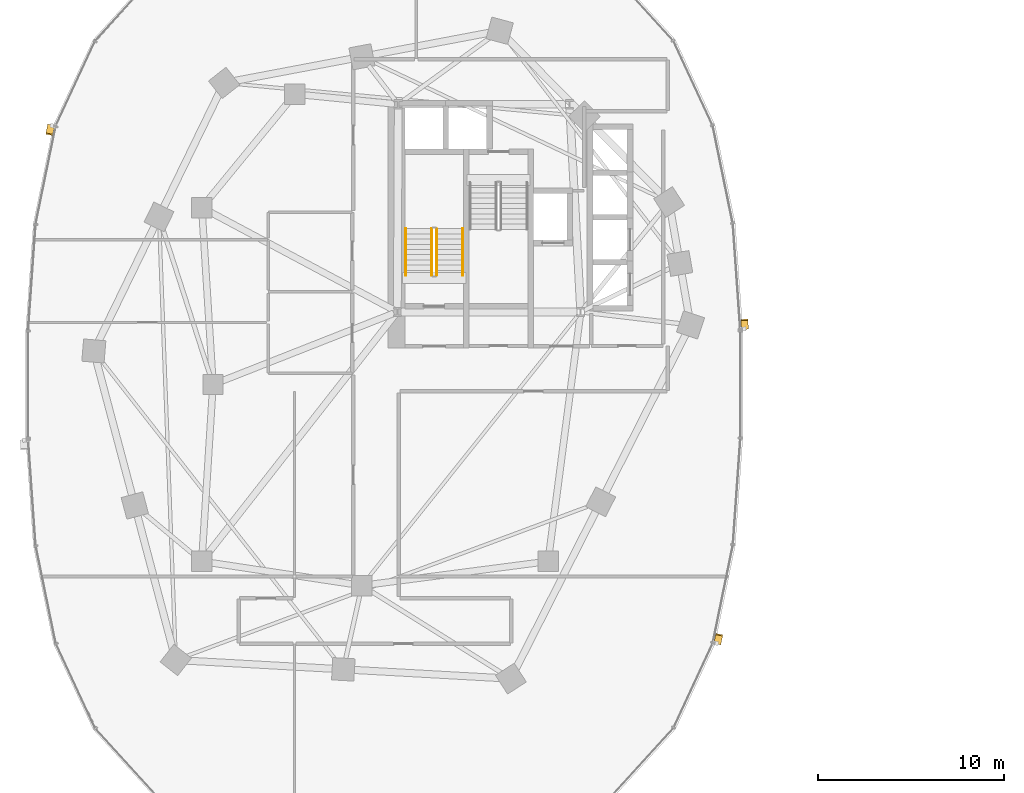
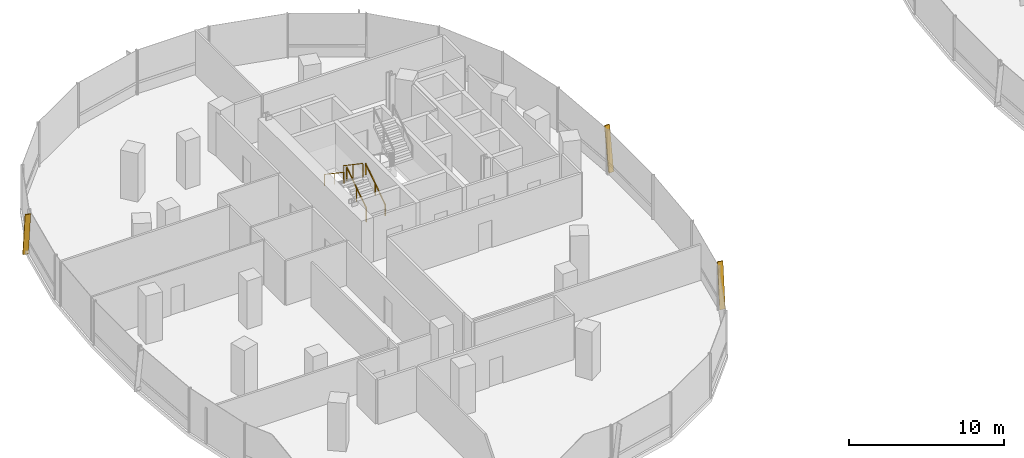
# One storey, part 18 of 21: 4 railings, 3 shading devices.
"""IFC4 building model written with IfcOpenShell, lengths in metres."""

from ifc_helpers import new_model, si_unit, direction, frame, origin, origin_2d, place, context, subcontext, project, spatial, rectangle, extrude, material, material_profile, profile_set, type_object, element, save


model = new_model("IFC4")

# Units and contexts
model_context = context("Model", 3, precision=1e-05, world=origin(), true_north=direction((0.0, 1.0)))
body_context = subcontext(model_context, "Body", "Model", "MODEL_VIEW")
ifc_project = project(units=[si_unit("LENGTHUNIT", "METRE"), si_unit("AREAUNIT", "SQUARE_METRE"), si_unit("VOLUMEUNIT", "CUBIC_METRE"), si_unit("PLANEANGLEUNIT", "RADIAN"), si_unit("MASSUNIT", "GRAM", prefix="KILO"), si_unit("THERMODYNAMICTEMPERATUREUNIT", "KELVIN"), si_unit("POWERUNIT", "WATT")], contexts=[model_context])

# Site, building, storey
site_placement = place(None, origin())
site = spatial("IfcSite", under=ifc_project, at=site_placement, CompositionType="ELEMENT")
building_placement = place(site_placement, origin())
building = spatial("IfcBuilding", under=site, at=building_placement, Name="Cundina Bronze Exchange", CompositionType="ELEMENT")
storey_placement = place(building_placement, frame((0.0, 0.0, 54.39990234375)))
storey = spatial("IfcBuildingStorey", under=building, at=storey_placement, Name="L13", CompositionType="ELEMENT", Elevation=54.39990234375)

# Railings
ifc_material_1 = material(Name="Steel ASTM A36 Painted", Category="steel")
railing_type_1 = type_object("IfcRailingType", Name="RLG-HND-900", PredefinedType="HANDRAIL", material=ifc_material_1)
railing_1_placement = place(storey_placement, frame((-27.7900390625, 5.85009765625, 0.190185546875)))
element("IfcRailing", 1, at=railing_1_placement, inside=storey, type_object=railing_type_1, Name="L13 ST-W1 stair handrail 1", PredefinedType="HANDRAIL", context=body_context, shape_type="SweptSolid", body=[
    extrude(rectangle(XDim=0.048095703125, YDim=0.048095703125, at=origin_2d()), frame((0.0, 0.0, 0.8759765625), z_axis=(0.0, 0.827483756001, 0.561489655786), x_axis=(-1.0, 0.0, 0.0)), (0.0, 0.0, 1.0), 3.04541015625),
    extrude(rectangle(XDim=0.0419921875, YDim=0.0419921875, at=origin_2d()), origin(), (0.0, 0.0, 1.0), 0.851806640625),
    extrude(rectangle(XDim=0.0419921875, YDim=0.0419921875, at=origin_2d()), frame((0.0, 1.260009765625, 0.85498046875)), (0.0, 0.0, 1.0), 0.851806640625),
    extrude(rectangle(XDim=0.0419921875, YDim=0.0419921875, at=origin_2d()), frame((0.0, 2.52001953125, 1.7099609375)), (0.0, 0.0, 1.0), 0.851806640625),
])
railing_2_placement = place(storey_placement, frame((-30.85009765625, 8.3701171875, 2.090087890625)))
element("IfcRailing", 2, at=railing_2_placement, inside=storey, type_object=railing_type_1, Name="L13 ST-W1 stair handrail 2", PredefinedType="HANDRAIL", context=body_context, shape_type="SweptSolid", body=[
    extrude(rectangle(XDim=0.048095703125, YDim=0.048095703125, at=origin_2d()), frame((0.0, 0.0, 0.8759765625), z_axis=(0.0, -0.827483756001, 0.561489655786), x_axis=(1.0, 0.0, 0.0)), (0.0, 0.0, 1.0), 3.04541015625),
    extrude(rectangle(XDim=0.0419921875, YDim=0.0419921875, at=origin_2d()), origin(), (0.0, 0.0, 1.0), 0.851806640625),
    extrude(rectangle(XDim=0.0419921875, YDim=0.0419921875, at=origin_2d()), frame((0.0, -1.260009765625, 0.85498046875)), (0.0, 0.0, 1.0), 0.851806640625),
    extrude(rectangle(XDim=0.0419921875, YDim=0.0419921875, at=origin_2d()), frame((0.0, -2.52001953125, 1.7099609375)), (0.0, 0.0, 1.0), 0.851806640625),
])
railing_type_2 = type_object("IfcRailingType", Name="RLG-STG-1100", PredefinedType="GUARDRAIL", material=ifc_material_1)
railing_3_placement = place(storey_placement, frame((-29.18994140625, 5.85009765625, 0.190185546875)))
element("IfcRailing", 3, at=railing_3_placement, inside=storey, type_object=railing_type_2, Name="L13 ST-W1 stair guard 1", PredefinedType="GUARDRAIL", context=body_context, shape_type="SweptSolid", body=[
    extrude(rectangle(XDim=0.048095703125, YDim=0.048095703125, at=origin_2d()), frame((0.0, 0.0, 1.076171875), z_axis=(0.0, 0.827483756001, 0.561489655786), x_axis=(-1.0, 0.0, 0.0)), (0.0, 0.0, 1.0), 3.04541015625),
    extrude(rectangle(XDim=0.0419921875, YDim=0.0419921875, at=origin_2d()), origin(), (0.0, 0.0, 1.0), 1.052001953125),
    extrude(rectangle(XDim=0.0419921875, YDim=0.0419921875, at=origin_2d()), frame((0.0, 1.260009765625, 0.85498046875)), (0.0, 0.0, 1.0), 1.052001953125),
    extrude(rectangle(XDim=0.0419921875, YDim=0.0419921875, at=origin_2d()), frame((0.0, 2.52001953125, 1.7099609375)), (0.0, 0.0, 1.0), 1.052001953125),
])
railing_4_placement = place(storey_placement, frame((-29.449951171875, 8.3701171875, 2.090087890625)))
element("IfcRailing", 4, at=railing_4_placement, inside=storey, type_object=railing_type_2, Name="L13 ST-W1 stair guard 3", PredefinedType="GUARDRAIL", context=body_context, shape_type="SweptSolid", body=[
    extrude(rectangle(XDim=0.048095703125, YDim=0.048095703125, at=origin_2d()), frame((0.0, 0.0, 1.076171875), z_axis=(0.0, -0.827483756001, 0.561489655786), x_axis=(1.0, 0.0, 0.0)), (0.0, 0.0, 1.0), 3.04541015625),
    extrude(rectangle(XDim=0.0419921875, YDim=0.0419921875, at=origin_2d()), origin(), (0.0, 0.0, 1.0), 1.052001953125),
    extrude(rectangle(XDim=0.0419921875, YDim=0.0419921875, at=origin_2d()), frame((0.0, -1.260009765625, 0.85498046875)), (0.0, 0.0, 1.0), 1.052001953125),
    extrude(rectangle(XDim=0.0419921875, YDim=0.0419921875, at=origin_2d()), frame((0.0, -2.52001953125, 1.7099609375)), (0.0, 0.0, 1.0), 1.052001953125),
])

# Shading devices
ifc_material_2 = material(Name="Anodised Bronze Aluminium 6063-T6", Category="aluminium")
ifc_material_profile = material_profile(ifc_material_2, rectangle(XDim=0.070068359375, YDim=0.3798828125, at=origin_2d()), Name="FIN70X380", Category="aluminium")
ifc_profile_set = profile_set([ifc_material_profile], Name="Anodised Bronze Aluminium 6063-T6")
shading_device_type = type_object("IfcShadingDeviceType", Name="SHD-FIN-BRZ380", PredefinedType="USERDEFINED", material=ifc_profile_set)
for number, where, z_axis, x_axis, name in (
    (5, (-12.6259765625, 2.993896484375, 0.02001953125), (-0.009645159174, 0.137059109714, 0.990515911709), (0.06953288269, -0.988072340253, 0.137398066402), "L13 Diagonal Bronze Solar Fin 1"),
    (6, (-49.89599609375, 13.911865234375, 0.02001953125), (-0.027747134956, -0.134612045151, 0.990509815096), (0.199966585563, 0.970114971774, 0.137442010309), "L13 Diagonal Bronze Solar Fin 5"),
    (7, (-14.10400390625, -13.911865234375, 0.02001953125), (0.027747134956, 0.134612045151, 0.990509815096), (-0.199966585563, -0.970114971774, 0.137442010309), "L13 Diagonal Bronze Solar Fin 5"),
):
    element("IfcShadingDevice", number, at=place(storey_placement, frame(where, z_axis=z_axis, x_axis=x_axis)), inside=storey, type_object=shading_device_type, Name=name, ObjectType="FIN", PredefinedType="USERDEFINED", context=body_context, shape_type="SweptSolid", body=[
        extrude(rectangle(XDim=0.070068359375, YDim=0.3798828125, at=origin_2d()), origin(), (0.0, 0.0, 1.0), 3.4931640625),
    ])

save(model, "model.ifc")
